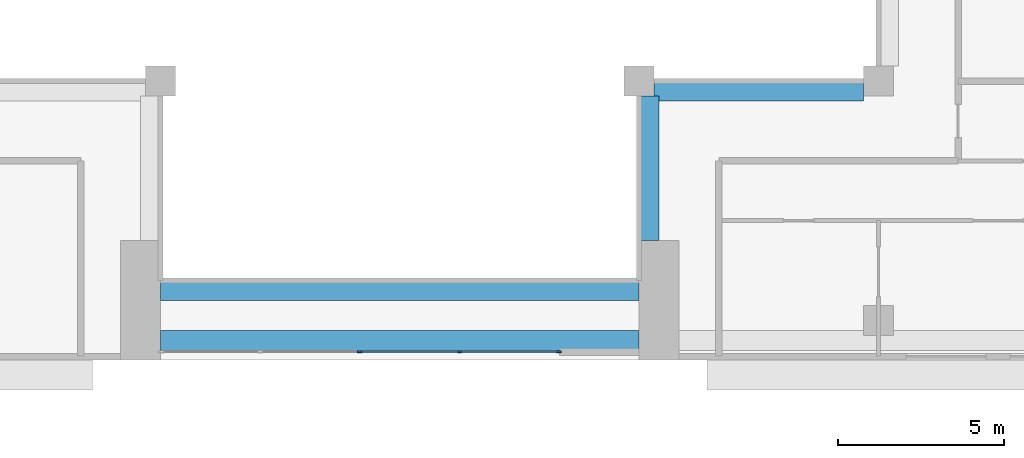
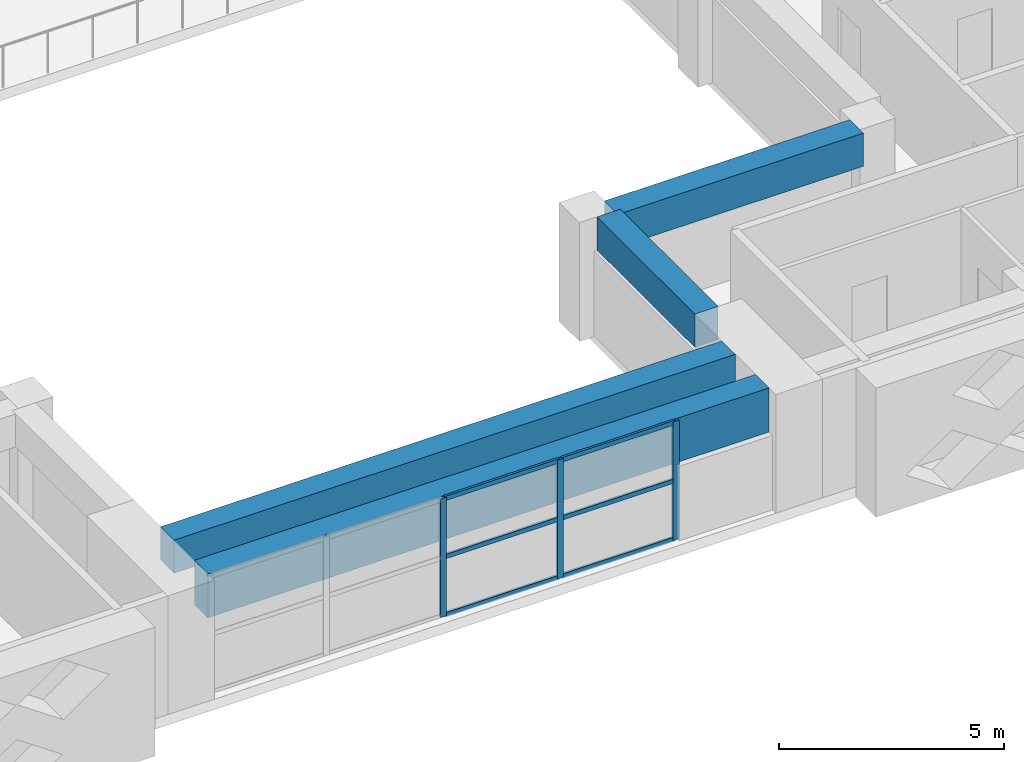
# One storey, part 4 of 19: 9 members, 4 beams, 1 element without a shape of its own.
"""IFC4 building model written with IfcOpenShell, lengths in metres."""

from ifc_helpers import new_model, si_unit, direction, frame, origin, origin_2d, place, context, subcontext, project, spatial, rectangle, extrude, source, transform, mapped, material, layer, layer_set, material_profile, profile_set, type_object, element, aggregate, save


model = new_model("IFC4")

# Units and contexts
model_context = context("Model", 3, precision=1e-05, world=origin(), true_north=direction((0.0, 1.0)))
body_context = subcontext(model_context, "Body", "Model", "MODEL_VIEW")
ifc_project = project(units=[si_unit("LENGTHUNIT", "METRE"), si_unit("AREAUNIT", "SQUARE_METRE"), si_unit("VOLUMEUNIT", "CUBIC_METRE"), si_unit("PLANEANGLEUNIT", "RADIAN"), si_unit("MASSUNIT", "GRAM", prefix="KILO")], contexts=[model_context])

# Site, building, storey
site_placement = place(None, origin())
site = spatial("IfcSite", under=ifc_project, at=site_placement, CompositionType="ELEMENT")
building_placement = place(site_placement, origin())
building = spatial("IfcBuilding", under=site, at=building_placement, Name="Saffron Iwan Residences", CompositionType="ELEMENT")
storey_placement = place(building_placement, frame((0.0, 0.0, 211.5)))
storey = spatial("IfcBuildingStorey", under=building, at=storey_placement, Name="L56", CompositionType="ELEMENT", Elevation=211.5)

# Beams
ifc_material_1 = material(Name="Concrete C40/50", Category="concrete")
ifc_material_profile_1 = material_profile(ifc_material_1, rectangle(XDim=0.60009765625, YDim=1.199951171875, at=origin_2d()), Name="RC 600x1200")
ifc_profile_set_1 = profile_set([ifc_material_profile_1], Name="Concrete C40/50")
beam_type_1 = type_object("IfcBeamType", Name="LINTEL BEAM RC 600x1200 C40/50 TOP 3220", PredefinedType="LINTEL", material=ifc_profile_set_1)
shared_shape_1 = source(origin(), body_context, "Body", "SweptSolid", [
    extrude(rectangle(XDim=0.60009765625, YDim=1.199951171875, at=origin_2d()), origin(), (0.0, 0.0, 1.0), 14.400146484375),
])
beam_1_placement = place(storey_placement, frame((57.60009765625, 40.199951171875, 2.6201171875), z_axis=(-1.0, 0.0, 0.0), x_axis=(0.0, -1.0, 0.0)))
element("IfcBeam", 1, at=beam_1_placement, inside=storey, type_object=beam_type_1, Name="Lintel beam over the iwan", PredefinedType="LINTEL", context=body_context, shape_type="MappedRepresentation", body=[
    mapped(shared_shape_1, transform((0.0, 0.0, 0.0))),
])
ifc_material_profile_2 = material_profile(ifc_material_1, rectangle(XDim=0.60009765625, YDim=0.89990234375, at=origin_2d()), Name="RC 600x900")
ifc_profile_set_2 = profile_set([ifc_material_profile_2], Name="Concrete C40/50")
beam_type_2 = type_object("IfcBeamType", Name="BEAM RC 600x900 C40/50 TOP 3220", PredefinedType="BEAM", material=ifc_profile_set_2)
shared_shape_2 = source(origin(), body_context, "Body", "SweptSolid", [
    extrude(rectangle(XDim=0.60009765625, YDim=0.89990234375, at=origin_2d()), origin(), (0.0, 0.0, 1.0), 14.400146484375),
])
beam_2_placement = place(storey_placement, frame((57.60009765625, 41.699951171875, 2.77001953125), z_axis=(-1.0, 0.0, 0.0), x_axis=(0.0, -1.0, 0.0)))
element("IfcBeam", 2, at=beam_2_placement, inside=storey, type_object=beam_type_2, Name="Atrium edge beam", PredefinedType="BEAM", context=body_context, shape_type="MappedRepresentation", body=[
    mapped(shared_shape_2, transform((0.0, 0.0, 0.0))),
])
shared_shape_3 = source(origin(), body_context, "Body", "SweptSolid", [
    extrude(rectangle(XDim=0.60009765625, YDim=0.89990234375, at=origin_2d()), origin(), (0.0, 0.0, 1.0), 4.35009765625),
])
beam_3_placement = place(storey_placement, frame((57.89990234375, 47.550048828125, 2.77001953125), z_axis=(0.0, -1.0, 0.0), x_axis=(1.0, 0.0, 0.0)))
element("IfcBeam", 3, at=beam_3_placement, inside=storey, type_object=beam_type_2, Name="Atrium edge beam", PredefinedType="BEAM", context=body_context, shape_type="MappedRepresentation", body=[
    mapped(shared_shape_3, transform((0.0, 0.0, 0.0))),
])
shared_shape_4 = source(origin(), body_context, "Body", "SweptSolid", [
    extrude(rectangle(XDim=0.60009765625, YDim=0.89990234375, at=origin_2d()), origin(), (0.0, 0.0, 1.0), 6.300048828125),
])
beam_4_placement = place(storey_placement, frame((64.35009765625, 47.699951171875, 2.77001953125), z_axis=(-1.0, 0.0, 0.0), x_axis=(0.0, -1.0, 0.0)))
element("IfcBeam", 4, at=beam_4_placement, inside=storey, type_object=beam_type_2, Name="Atrium edge beam", PredefinedType="BEAM", context=body_context, shape_type="MappedRepresentation", body=[
    mapped(shared_shape_4, transform((0.0, 0.0, 0.0))),
])

# Curtain wall, members
ifc_material_2 = material(Name="Clear glass, laminated double glazed", Category="glass")
ifc_layer = layer(ifc_material_2, 0.199951171875)
ifc_layer_set = layer_set([ifc_layer], Name="Clear glass, laminated double glazed")
curtain_wall_type = type_object("IfcCurtainWallType", Name="CW-B IWAN PORTAL", PredefinedType="NOTDEFINED", material=ifc_layer_set)
curtain_wall_placement = place(storey_placement, origin())
curtain_wall = element("IfcCurtainWall", 5, at=curtain_wall_placement, inside=storey, type_object=curtain_wall_type, Name="Iwan portal glazing L56.1", PredefinedType="NOTDEFINED")
ifc_material_3 = material(Name="Aluminium 6063-T6", Category="aluminium")
ifc_material_profile_3 = material_profile(ifc_material_3, rectangle(XDim=0.06005859375, YDim=0.1201171875, at=origin_2d()), Name="CW-B TRANSOM 60 x 120")
ifc_profile_set_3 = profile_set([ifc_material_profile_3], Name="Aluminium 6063-T6")
member_type_1 = type_object("IfcMemberType", Name="CW-B TRANSOM 60 x 120", PredefinedType="USERDEFINED", material=ifc_profile_set_3)
shared_shape_5 = source(origin(), body_context, "Body", "SweptSolid", [
    extrude(rectangle(XDim=0.06005859375, YDim=0.1201171875, at=origin_2d()), origin(), (0.0, 0.0, 1.0), 2.909912109375),
])
member_1_placement = place(storey_placement, frame((52.22998046875, 39.85009765625, 0.030029296875), z_axis=(1.0, 0.0, 0.0), x_axis=(0.0, 1.0, 0.0)))
member_1 = element("IfcMember", 6, at=member_1_placement, type_object=member_type_1, Name="CW-B transom 4.1", ObjectType="TRANSOM", PredefinedType="USERDEFINED", context=body_context, shape_type="MappedRepresentation", body=[
    mapped(shared_shape_5, transform((0.0, 0.0, 0.0))),
])
member_2_placement = place(storey_placement, frame((52.22998046875, 39.85009765625, 1.610107421875), z_axis=(1.0, 0.0, 0.0), x_axis=(0.0, 1.0, 0.0)))
member_2 = element("IfcMember", 7, at=member_2_placement, type_object=member_type_1, Name="CW-B transom 4.2", ObjectType="TRANSOM", PredefinedType="USERDEFINED", context=body_context, shape_type="MappedRepresentation", body=[
    mapped(shared_shape_5, transform((0.0, 0.0, 0.0))),
])
member_3_placement = place(storey_placement, frame((52.22998046875, 39.85009765625, 3.18994140625), z_axis=(1.0, 0.0, 0.0), x_axis=(0.0, 1.0, 0.0)))
member_3 = element("IfcMember", 8, at=member_3_placement, type_object=member_type_1, Name="CW-B transom 4.3", ObjectType="TRANSOM", PredefinedType="USERDEFINED", context=body_context, shape_type="MappedRepresentation", body=[
    mapped(shared_shape_5, transform((0.0, 0.0, 0.0))),
])
shared_shape_6 = source(origin(), body_context, "Body", "SweptSolid", [
    extrude(rectangle(XDim=0.06005859375, YDim=0.1201171875, at=origin_2d()), origin(), (0.0, 0.0, 1.0), 2.93994140625),
])
member_4_placement = place(storey_placement, frame((49.22998046875, 39.85009765625, 0.030029296875), z_axis=(1.0, 0.0, 0.0), x_axis=(0.0, 1.0, 0.0)))
member_4 = element("IfcMember", 9, at=member_4_placement, type_object=member_type_1, Name="CW-B transom 3.1", ObjectType="TRANSOM", PredefinedType="USERDEFINED", context=body_context, shape_type="MappedRepresentation", body=[
    mapped(shared_shape_6, transform((0.0, 0.0, 0.0))),
])
member_5_placement = place(storey_placement, frame((49.22998046875, 39.85009765625, 1.610107421875), z_axis=(1.0, 0.0, 0.0), x_axis=(0.0, 1.0, 0.0)))
member_5 = element("IfcMember", 10, at=member_5_placement, type_object=member_type_1, Name="CW-B transom 3.2", ObjectType="TRANSOM", PredefinedType="USERDEFINED", context=body_context, shape_type="MappedRepresentation", body=[
    mapped(shared_shape_6, transform((0.0, 0.0, 0.0))),
])
member_6_placement = place(storey_placement, frame((49.22998046875, 39.85009765625, 3.18994140625), z_axis=(1.0, 0.0, 0.0), x_axis=(0.0, 1.0, 0.0)))
member_6 = element("IfcMember", 11, at=member_6_placement, type_object=member_type_1, Name="CW-B transom 3.3", ObjectType="TRANSOM", PredefinedType="USERDEFINED", context=body_context, shape_type="MappedRepresentation", body=[
    mapped(shared_shape_6, transform((0.0, 0.0, 0.0))),
])
ifc_material_profile_4 = material_profile(ifc_material_3, rectangle(XDim=0.06005859375, YDim=0.159912109375, at=origin_2d()), Name="CW-B MULLION 60 x 160")
ifc_profile_set_4 = profile_set([ifc_material_profile_4], Name="Aluminium 6063-T6")
member_type_2 = type_object("IfcMemberType", Name="CW-B MULLION 60 x 160", PredefinedType="MULLION", material=ifc_profile_set_4)
shared_shape_7 = source(origin(), body_context, "Body", "SweptSolid", [
    extrude(rectangle(XDim=0.06005859375, YDim=0.159912109375, at=origin_2d()), origin(), (0.0, 0.0, 1.0), 3.219970703125),
])
member_7_placement = place(storey_placement, frame((49.199951171875, 39.85009765625, 0.0), z_axis=(0.0, 0.0, 1.0), x_axis=(0.0, 1.0, 0.0)))
member_7 = element("IfcMember", 12, at=member_7_placement, type_object=member_type_2, Name="CW-B mullion 3", PredefinedType="MULLION", context=body_context, shape_type="MappedRepresentation", body=[
    mapped(shared_shape_7, transform((0.0, 0.0, 0.0))),
])
member_8_placement = place(storey_placement, frame((52.199951171875, 39.85009765625, 0.0), z_axis=(0.0, 0.0, 1.0), x_axis=(0.0, 1.0, 0.0)))
member_8 = element("IfcMember", 13, at=member_8_placement, type_object=member_type_2, Name="CW-B mullion 4", PredefinedType="MULLION", context=body_context, shape_type="MappedRepresentation", body=[
    mapped(shared_shape_7, transform((0.0, 0.0, 0.0))),
])
member_9_placement = place(storey_placement, frame((55.169921875, 39.85009765625, 0.0), z_axis=(0.0, 0.0, 1.0), x_axis=(0.0, 1.0, 0.0)))
member_9 = element("IfcMember", 14, at=member_9_placement, type_object=member_type_2, Name="CW-B mullion 5", PredefinedType="MULLION", context=body_context, shape_type="MappedRepresentation", body=[
    mapped(shared_shape_7, transform((0.0, 0.0, 0.0))),
])
aggregate(curtain_wall, [member_7, member_8, member_9, member_4, member_5, member_6, member_1, member_2, member_3])

save(model, "model.ifc")
